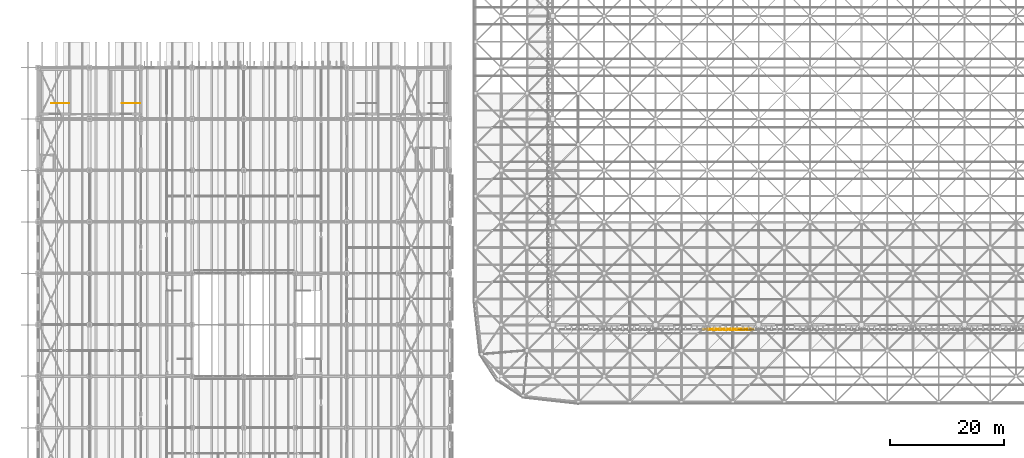
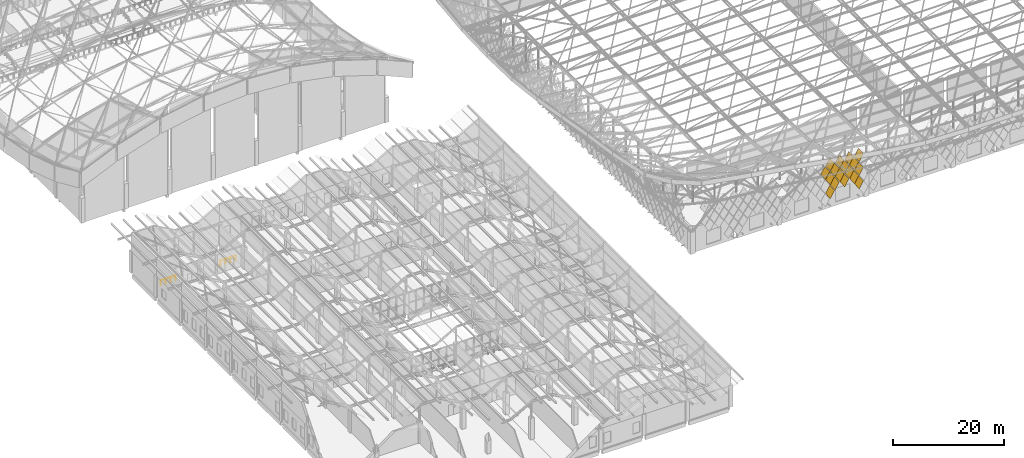
# One storey, part 408 of 437: 17 coverings, 2 railings.
"""IFC4 building model written with IfcOpenShell, lengths in metres."""

from ifc_helpers import new_model, si_unit, direction, frame, origin, origin_2d, place, context, subcontext, project, spatial, polyline, circle, outline, extrude, material, constituent, constituent_set, material_profile, profile_set, type_object, element, save


model = new_model("IFC4")

# Units and contexts
model_context = context("Model", 3, precision=1e-05, world=origin(), true_north=direction((0.0, 1.0)))
body_context = subcontext(model_context, "Body", "Model", "MODEL_VIEW")
ifc_project = project(units=[si_unit("LENGTHUNIT", "METRE"), si_unit("AREAUNIT", "SQUARE_METRE"), si_unit("VOLUMEUNIT", "CUBIC_METRE"), si_unit("PLANEANGLEUNIT", "RADIAN"), si_unit("MASSUNIT", "GRAM", prefix="KILO")], contexts=[model_context])

# Site, building, storey
site_placement = place(None, origin())
site = spatial("IfcSite", under=ifc_project, at=site_placement, CompositionType="ELEMENT")
building_placement = place(site_placement, origin())
building = spatial("IfcBuilding", under=site, at=building_placement, Name="Opaline Strait Convention Centre", CompositionType="ELEMENT")
storey_placement = place(building_placement, frame((0.0, 0.0, 11.5)))
storey = spatial("IfcBuildingStorey", under=building, at=storey_placement, Name="L02", CompositionType="ELEMENT", Elevation=11.5)

# Coverings
ifc_material_1 = material(Name="White ceramic-faced aluminium tile", Category="aluminium")
ifc_material_profile_1 = material_profile(ifc_material_1, outline(polyline([(0.927978515625, 0.0), (0.0, 1.39208984375), (-0.927978515625, 0.0), (0.0, -1.39208984375), (0.927978515625, 0.0)])), Name="Diamond tile 1856x2784")
ifc_profile_set_1 = profile_set([ifc_material_profile_1], Name="White ceramic-faced aluminium tile")
covering_type_1 = type_object("IfcCoveringType", Name="Diamond wall tile 1856x2784x30 pivot 3 deg", PredefinedType="CLADDING", material=ifc_profile_set_1)
covering_1_placement = place(storey_placement, frame((127.25, 53.199951171875, 9.89208984375), z_axis=(0.0, -0.998812351125, 0.048722553713), x_axis=(1.0, 0.0, 0.0)))
element("IfcCovering", 1, at=covering_1_placement, inside=storey, type_object=covering_type_1, Name="Wall tile XT06 S", PredefinedType="CLADDING", context=body_context, shape_type="SweptSolid", body=[
    extrude(outline(polyline([(0.927978515625, 0.0), (0.0, 1.39208984375), (-0.927978515625, 0.0), (0.0, -1.39208984375), (0.927978515625, 0.0)])), origin(), (0.0, 0.0, 1.0), 0.030029296875),
])
ifc_material_profile_2 = material_profile(ifc_material_1, outline(polyline([(0.927978515625, 0.0), (0.0, 1.39208984375), (-0.927978515625, 0.0), (0.0, -1.39208984375), (0.927978515625, 0.0)])), Name="Diamond tile 1856x2784")
ifc_profile_set_2 = profile_set([ifc_material_profile_2], Name="White ceramic-faced aluminium tile")
covering_type_2 = type_object("IfcCoveringType", Name="Diamond wall tile 1856x2784x30 pivot 3.5 deg", PredefinedType="CLADDING", material=ifc_profile_set_2)
covering_2_placement = place(storey_placement, frame((126.25, 53.199951171875, 8.39208984375), z_axis=(0.0, -0.99835799028, 0.057282835508), x_axis=(1.0, 0.0, 0.0)))
element("IfcCovering", 2, at=covering_2_placement, inside=storey, type_object=covering_type_2, Name="Wall tile XT07 S", PredefinedType="CLADDING", context=body_context, shape_type="SweptSolid", body=[
    extrude(outline(polyline([(0.927978515625, 0.0), (0.0, 1.39208984375), (-0.927978515625, 0.0), (0.0, -1.39208984375), (0.927978515625, 0.0)])), origin(), (0.0, 0.0, 1.0), 0.02978515625),
])
ifc_material_profile_3 = material_profile(ifc_material_1, outline(polyline([(0.927978515625, 0.0), (0.0, 1.39208984375), (-0.927978515625, 0.0), (0.0, -1.39208984375), (0.927978515625, 0.0)])), Name="Diamond tile 1856x2784")
ifc_profile_set_3 = profile_set([ifc_material_profile_3], Name="White ceramic-faced aluminium tile")
covering_type_3 = type_object("IfcCoveringType", Name="Diamond wall tile 1856x2784x30 pivot 4.5 deg", PredefinedType="CLADDING", material=ifc_profile_set_3)
for number, where, z_axis, x_axis, name in (
    (3, (133.25, 53.199951171875, 3.89208984375), (0.0, -0.997290013252, 0.073570574748), (1.0, 0.0, 0.0), "Wall tile XT09 S"),
    (4, (129.25, 53.199951171875, 9.89208984375), (0.0, -0.997290013252, 0.073570574748), (1.0, 0.0, 0.0), "Wall tile XT09 S"),
):
    element("IfcCovering", number, at=place(storey_placement, frame(where, z_axis=z_axis, x_axis=x_axis)), inside=storey, type_object=covering_type_3, Name=name, PredefinedType="CLADDING", context=body_context, shape_type="SweptSolid", body=[
        extrude(outline(polyline([(0.927978515625, 0.0), (0.0, 1.39208984375), (-0.927978515625, 0.0), (0.0, -1.39208984375), (0.927978515625, 0.0)])), origin(), (0.0, 0.0, 1.0), 0.02978515625),
    ])
ifc_material_profile_4 = material_profile(ifc_material_1, outline(polyline([(0.927978515625, 0.0), (0.0, 1.39208984375), (-0.927978515625, 0.0), (0.0, -1.39208984375), (0.927978515625, 0.0)])), Name="Diamond tile 1856x2784")
ifc_profile_set_4 = profile_set([ifc_material_profile_4], Name="White ceramic-faced aluminium tile")
covering_type_4 = type_object("IfcCoveringType", Name="Diamond wall tile 1856x2784x30 pivot 5 deg", PredefinedType="CLADDING", material=ifc_profile_set_4)
for number, where, z_axis, x_axis, name in (
    (5, (127.25, 53.199951171875, 6.89208984375), (0.0, -0.996657521232, 0.081693239445), (1.0, 0.0, 0.0), "Wall tile XT10 S"),
    (6, (128.25, 53.199951171875, 8.39208984375), (0.0, -0.996657521232, 0.081693239445), (1.0, 0.0, 0.0), "Wall tile XT10 S"),
):
    element("IfcCovering", number, at=place(storey_placement, frame(where, z_axis=z_axis, x_axis=x_axis)), inside=storey, type_object=covering_type_4, Name=name, PredefinedType="CLADDING", context=body_context, shape_type="SweptSolid", body=[
        extrude(outline(polyline([(0.927978515625, 0.0), (0.0, 1.39208984375), (-0.927978515625, 0.0), (0.0, -1.39208984375), (0.927978515625, 0.0)])), origin(), (0.0, 0.0, 1.0), 0.02978515625),
    ])
ifc_material_profile_5 = material_profile(ifc_material_1, outline(polyline([(0.927978515625, 0.0), (0.0, 1.39208984375), (-0.927978515625, 0.0), (0.0, -1.39208984375), (0.927978515625, 0.0)])), Name="Diamond tile 1856x2784")
ifc_profile_set_5 = profile_set([ifc_material_profile_5], Name="White ceramic-faced aluminium tile")
covering_type_5 = type_object("IfcCoveringType", Name="Diamond wall tile 1856x2784x30 pivot 5.5 deg", PredefinedType="CLADDING", material=ifc_profile_set_5)
for number, where, z_axis, x_axis, name in (
    (7, (130.25, 53.199951171875, 8.39208984375), (0.0, -0.995959849254, 0.089799658539), (1.0, 0.0, 0.0), "Wall tile XT11 S"),
    (8, (131.25, 53.199951171875, 9.89208984375), (0.0, -0.995959849254, 0.089799658539), (1.0, 0.0, 0.0), "Wall tile XT11 S"),
):
    element("IfcCovering", number, at=place(storey_placement, frame(where, z_axis=z_axis, x_axis=x_axis)), inside=storey, type_object=covering_type_5, Name=name, PredefinedType="CLADDING", context=body_context, shape_type="SweptSolid", body=[
        extrude(outline(polyline([(0.927978515625, 0.0), (0.0, 1.39208984375), (-0.927978515625, 0.0), (0.0, -1.39208984375), (0.927978515625, 0.0)])), origin(), (0.0, 0.0, 1.0), 0.02978515625),
    ])
ifc_material_profile_6 = material_profile(ifc_material_1, outline(polyline([(0.927978515625, 0.0), (0.0, 1.39208984375), (-0.927978515625, 0.0), (0.0, -1.39208984375), (0.927978515625, 0.0)])), Name="Diamond tile 1856x2784")
ifc_profile_set_6 = profile_set([ifc_material_profile_6], Name="White ceramic-faced aluminium tile")
covering_type_6 = type_object("IfcCoveringType", Name="Diamond wall tile 1856x2784x30 pivot 6 deg", PredefinedType="CLADDING", material=ifc_profile_set_6)
for number, where, z_axis, x_axis, name in (
    (9, (127.25, 53.199951171875, 3.89208984375), (0.0, -0.995197410875, 0.097888269922), (1.0, 0.0, 0.0), "Wall tile XT12 S"),
    (10, (128.25, 53.199951171875, 5.39208984375), (0.0, -0.995197410875, 0.097888269922), (1.0, 0.0, 0.0), "Wall tile XT12 S"),
    (11, (130.25, 53.199951171875, 5.39208984375), (0.0, -0.995197410875, 0.097888269922), (1.0, 0.0, 0.0), "Wall tile XT12 S"),
    (12, (132.25, 53.199951171875, 5.39208984375), (0.0, -0.995197410875, 0.097888269922), (1.0, 0.0, 0.0), "Wall tile XT12 S"),
    (13, (129.25, 53.199951171875, 6.89208984375), (0.0, -0.995197410875, 0.097888269922), (1.0, 0.0, 0.0), "Wall tile XT12 S"),
    (14, (131.25, 53.199951171875, 6.89208984375), (0.0, -0.995197410875, 0.097888269922), (1.0, 0.0, 0.0), "Wall tile XT12 S"),
    (15, (133.25, 53.199951171875, 6.89208984375), (0.0, -0.995197410875, 0.097888269922), (1.0, 0.0, 0.0), "Wall tile XT12 S"),
):
    element("IfcCovering", number, at=place(storey_placement, frame(where, z_axis=z_axis, x_axis=x_axis)), inside=storey, type_object=covering_type_6, Name=name, PredefinedType="CLADDING", context=body_context, shape_type="SweptSolid", body=[
        extrude(outline(polyline([(0.927978515625, 0.0), (0.0, 1.39208984375), (-0.927978515625, 0.0), (0.0, -1.39208984375), (0.927978515625, 0.0)])), origin(), (0.0, 0.0, 1.0), 0.030029296875),
    ])
ifc_material_profile_7 = material_profile(ifc_material_1, outline(polyline([(0.927978515625, 0.0), (0.0, 1.39208984375), (-0.927978515625, 0.0), (0.0, -1.39208984375), (0.927978515625, 0.0)])), Name="Diamond tile 1856x2784")
ifc_profile_set_7 = profile_set([ifc_material_profile_7], Name="White ceramic-faced aluminium tile")
covering_type_7 = type_object("IfcCoveringType", Name="Diamond wall tile 1856x2784x30 pivot 6.5 deg", PredefinedType="CLADDING", material=ifc_profile_set_7)
for number, where, z_axis, x_axis, name in (
    (16, (132.25, 53.199951171875, 8.39208984375), (0.0, -0.993480071526, 0.114005909847), (1.0, 0.0, 0.0), "Wall tile XT13 S"),
    (17, (133.25, 53.199951171875, 9.89208984375), (0.0, -0.993480071526, 0.114005909847), (1.0, 0.0, 0.0), "Wall tile XT13 S"),
):
    element("IfcCovering", number, at=place(storey_placement, frame(where, z_axis=z_axis, x_axis=x_axis)), inside=storey, type_object=covering_type_7, Name=name, PredefinedType="CLADDING", context=body_context, shape_type="SweptSolid", body=[
        extrude(outline(polyline([(0.927978515625, 0.0), (0.0, 1.39208984375), (-0.927978515625, 0.0), (0.0, -1.39208984375), (0.927978515625, 0.0)])), origin(), (0.0, 0.0, 1.0), 0.030029296875),
    ])

# Railings
ifc_material_2 = material(Name="Steel Q235B", Category="steel")
ifc_constituent_1 = constituent(ifc_material_2, Name="Frame")
ifc_material_3 = material(Name="Safety glass, bonded interlayer", Category="glass")
ifc_constituent_2 = constituent(ifc_material_3, Name="Infill")
ifc_constituent_set = constituent_set(constituents=[ifc_constituent_1, ifc_constituent_2], Name="Steel Q235B, Safety glass, bonded interlayer")
railing_type = type_object("IfcRailingType", Name="Stair guard 1100 Q235B and glass", PredefinedType="GUARDRAIL", material=ifc_constituent_set)
railing_1_placement = place(storey_placement, frame((14.449951171875, 92.75, 0.0)))
element("IfcRailing", 18, at=railing_1_placement, inside=storey, type_object=railing_type, Name="L02 NWA top well guard 1", PredefinedType="GUARDRAIL", context=body_context, shape_type="SweptSolid", body=[
    extrude(circle(Radius=0.02392578125, at=origin_2d()), frame((0.0, 0.0, 1.076171875), z_axis=(-1.0, 0.0, 0.0), x_axis=(0.0, -1.0, 0.0)), (0.0, 0.0, 1.0), 3.14990234375),
    extrude(circle(Radius=0.02099609375, at=origin_2d()), origin(), (0.0, 0.0, 1.0), 1.052001953125),
    extrude(circle(Radius=0.02099609375, at=origin_2d()), frame((-1.050048828125, 0.0, 0.0)), (0.0, 0.0, 1.0), 1.052001953125),
    extrude(circle(Radius=0.02099609375, at=origin_2d()), frame((-2.099853515625, 0.0, 0.0)), (0.0, 0.0, 1.0), 1.052001953125),
    extrude(circle(Radius=0.02099609375, at=origin_2d()), frame((-3.14990234375, 0.0, 0.0)), (0.0, 0.0, 1.0), 1.052001953125),
])
railing_2_placement = place(storey_placement, frame((26.85009765625, 92.75, 0.0)))
element("IfcRailing", 19, at=railing_2_placement, inside=storey, type_object=railing_type, Name="L02 NWB top well guard 1", PredefinedType="GUARDRAIL", context=body_context, shape_type="SweptSolid", body=[
    extrude(circle(Radius=0.02392578125, at=origin_2d()), frame((0.0, 0.0, 1.076171875), z_axis=(-1.0, 0.0, 0.0), x_axis=(0.0, -1.0, 0.0)), (0.0, 0.0, 1.0), 3.150146484375),
    extrude(circle(Radius=0.02099609375, at=origin_2d()), origin(), (0.0, 0.0, 1.0), 1.052001953125),
    extrude(circle(Radius=0.02099609375, at=origin_2d()), frame((-1.050048828125, 0.0, 0.0)), (0.0, 0.0, 1.0), 1.052001953125),
    extrude(circle(Radius=0.02099609375, at=origin_2d()), frame((-2.10009765625, 0.0, 0.0)), (0.0, 0.0, 1.0), 1.052001953125),
    extrude(circle(Radius=0.02099609375, at=origin_2d()), frame((-3.150146484375, 0.0, 0.0)), (0.0, 0.0, 1.0), 1.052001953125),
])

save(model, "model.ifc")
